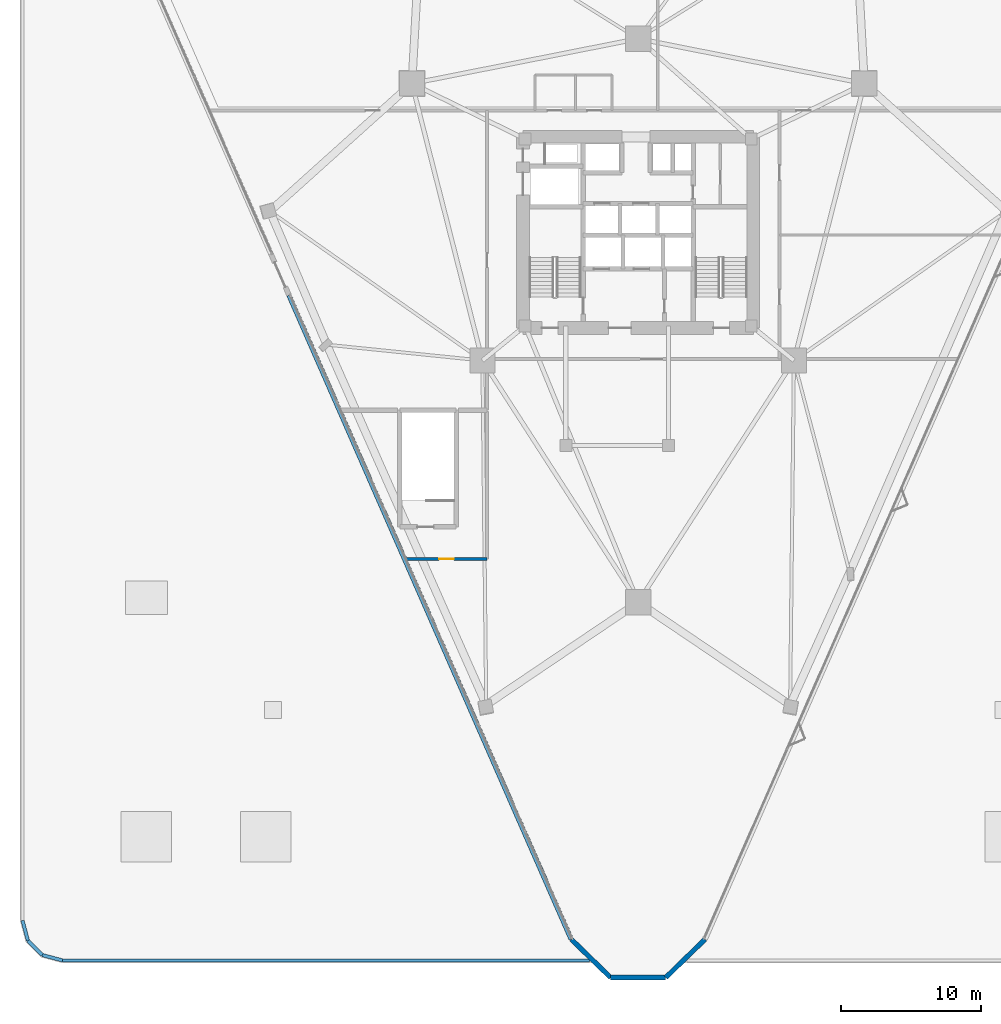
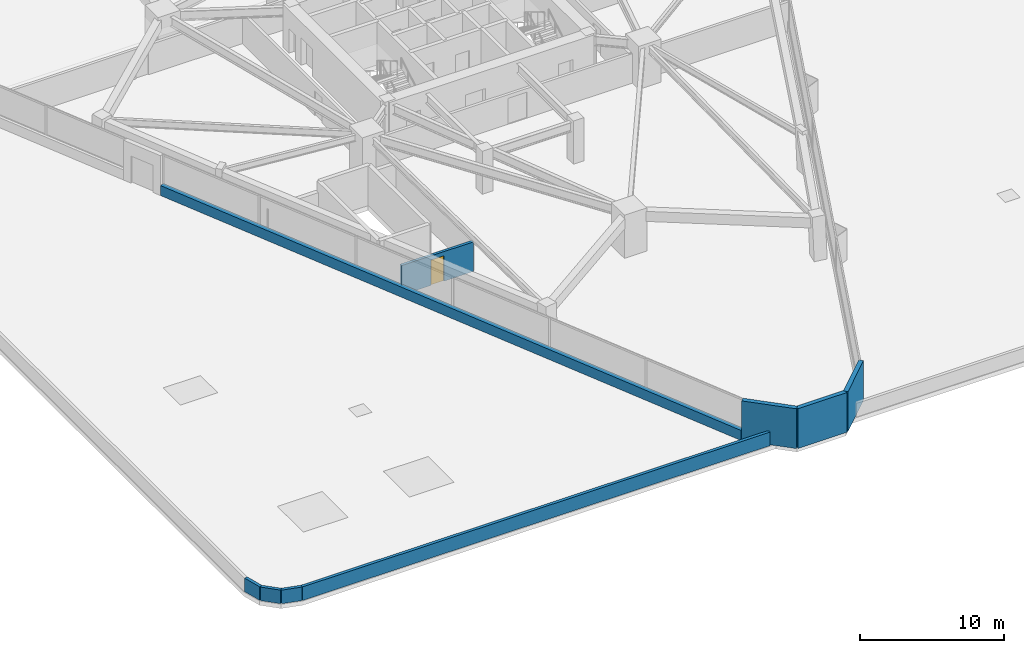
# One storey, part 15 of 21: 9 walls, 1 door, 1 opening.
"""IFC4 building model written with IfcOpenShell, lengths in metres."""

from ifc_helpers import new_model, si_unit, direction, frame, frame_2d, origin, place, context, subcontext, project, spatial, rectangle, extrude, material, layer, layer_set, type_object, element, fill, save


model = new_model("IFC4")

# Units and contexts
model_context = context("Model", 3, precision=1e-05, world=origin(), true_north=direction((0.0, 1.0)))
body_context = subcontext(model_context, "Body", "Model", "MODEL_VIEW")
ifc_project = project(units=[si_unit("LENGTHUNIT", "METRE"), si_unit("AREAUNIT", "SQUARE_METRE"), si_unit("VOLUMEUNIT", "CUBIC_METRE"), si_unit("PLANEANGLEUNIT", "RADIAN"), si_unit("MASSUNIT", "GRAM", prefix="KILO")], contexts=[model_context])

# Site, building, storey
site_placement = place(None, origin())
site = spatial("IfcSite", under=ifc_project, at=site_placement, CompositionType="ELEMENT")
building_placement = place(site_placement, origin())
building = spatial("IfcBuilding", under=site, at=building_placement, Name="Talyreon Biosciences Tower", CompositionType="ELEMENT")
storey_placement = place(building_placement, frame((0.0, 0.0, 22.800048828125)))
storey = spatial("IfcBuildingStorey", under=building, at=storey_placement, Name="L05", CompositionType="ELEMENT", Elevation=22.800048828125)

# Wall, opening, door
ifc_material_1 = material(Name="Gypsum fireboard acoustic stud", Category="gypsum")
ifc_layer_1 = layer(ifc_material_1, 0.219970703125)
ifc_layer_set_1 = layer_set([ifc_layer_1], Name="Gypsum fireboard acoustic stud")
wall_type_1 = type_object("IfcWallType", Name="CorridorRatedPartition_220", PredefinedType="PARTITIONING", material=ifc_layer_set_1)
wall_1_placement = place(storey_placement, frame((49.472412109375, 44.75, 0.0), z_axis=(0.0, 0.0, 1.0), x_axis=(1.0, 0.0, 0.0)))
wall_1 = element("IfcWall", 1, at=wall_1_placement, inside=storey, type_object=wall_type_1, Name="L05 Interior Wall IW-L05-ST3-S", PredefinedType="PARTITIONING", context=body_context, shape_type="SweptSolid", body=[
    extrude(rectangle(XDim=5.757568359375, YDim=0.219970703125, at=frame_2d((2.87890625, 0.0))), origin(), (0.0, 0.0, 1.0), 2.5048828125),
])
opening_placement = place(wall_1_placement, frame((2.35400390625, 0.0, 0.0)))
opening = element("IfcOpeningElement", 2, at=opening_placement, cuts=wall_1, Name="Opening DR-L05-S2A", PredefinedType="OPENING", context=body_context, shape_type="SweptSolid", body=[
    extrude(rectangle(XDim=1.050048828125, YDim=2.14990234375, at=frame_2d((0.52490234375, 1.074951171875))), frame((0.0, 0.119873046875, 0.0), z_axis=(0.0, -1.0, 0.0), x_axis=(1.0, 0.0, 0.0)), (0.0, 0.0, 1.0), 0.239990234375),
])
ifc_material_2 = material(Name="Acoustic timber-core laboratory door", Category="wood")
door_type = type_object("IfcDoorType", Name="DryLabSingleDoor_1050x2150", OperationType="NOTDEFINED", PredefinedType="DOOR", material=ifc_material_2)
door_placement = place(opening_placement, origin())
door = element("IfcDoor", 3, at=door_placement, inside=storey, type_object=door_type, Name="L05 Interior Door DR-L05-S2A", OperationType="SINGLE_SWING_LEFT", OverallHeight=2.14990234375, OverallWidth=1.050048828125, PredefinedType="DOOR", context=body_context, shape_type="SweptSolid", body=[
    extrude(rectangle(XDim=1.050048828125, YDim=2.14990234375, at=frame_2d((0.52490234375, 1.074951171875))), frame((0.0, 0.02490234375, 0.0), z_axis=(0.0, -1.0, 0.0), x_axis=(1.0, 0.0, 0.0)), (0.0, 0.0, 1.0), 0.050048828125),
])
fill(opening, door)

# Walls
ifc_material_3 = material(Name="Precast concrete C45/55", Category="concrete")
ifc_layer_2 = layer(ifc_material_3, 0.239990234375)
ifc_layer_set_2 = layer_set([ifc_layer_2], Name="Precast concrete C45/55")
wall_type_2 = type_object("IfcWallType", Name="CrownParapet_240", PredefinedType="PARAPET", material=ifc_layer_set_2)
wall_2_placement = place(storey_placement, frame((62.52978515625, 16.179931640625, 0.0), z_axis=(0.0, 0.0, 1.0), x_axis=(-1.0, 0.0, 0.0)))
element("IfcWall", 4, at=wall_2_placement, inside=storey, type_object=wall_type_2, Name="L05 Podium Skylight Roof Parapet 01", PredefinedType="PARAPET", context=body_context, shape_type="SweptSolid", body=[
    extrude(rectangle(XDim=37.506103515625, YDim=0.239990234375, at=frame_2d((18.7529296875, 0.0))), origin(), (0.0, 0.0, 1.0), 1.14990234375),
])
wall_3_placement = place(storey_placement, frame((25.023681640625, 16.179931640625, 0.0), z_axis=(0.0, 0.0, 1.0), x_axis=(-0.965922294807, 0.258832224415, 0.0)))
element("IfcWall", 5, at=wall_3_placement, inside=storey, type_object=wall_type_2, Name="L05 Podium Skylight Roof Parapet 02", PredefinedType="PARAPET", context=body_context, shape_type="SweptSolid", body=[
    extrude(rectangle(XDim=1.48095703125, YDim=0.239990234375, at=frame_2d((0.740478515625, 0.0))), origin(), (0.0, 0.0, 1.0), 1.14990234375),
])
wall_4_placement = place(storey_placement, frame((23.59326171875, 16.563232421875, 0.0), z_axis=(0.0, 0.0, 1.0), x_axis=(-0.707106781187, 0.707106781187, 0.0)))
element("IfcWall", 6, at=wall_4_placement, inside=storey, type_object=wall_type_2, Name="L05 Podium Skylight Roof Parapet 03", PredefinedType="PARAPET", context=body_context, shape_type="SweptSolid", body=[
    extrude(rectangle(XDim=1.456787109375, YDim=0.239990234375, at=frame_2d((0.728515625, 0.0))), origin(), (0.0, 0.0, 1.0), 1.14990234375),
])
wall_5_placement = place(storey_placement, frame((22.563232421875, 17.59326171875, 0.0), z_axis=(0.0, 0.0, 1.0), x_axis=(-0.258832224415, 0.965922294807, 0.0)))
element("IfcWall", 7, at=wall_5_placement, inside=storey, type_object=wall_type_2, Name="L05 Podium Skylight Roof Parapet 04", PredefinedType="PARAPET", context=body_context, shape_type="SweptSolid", body=[
    extrude(rectangle(XDim=1.48095703125, YDim=0.239990234375, at=frame_2d((0.740478515625, 0.0))), origin(), (0.0, 0.0, 1.0), 1.14990234375),
])
ifc_layer_3 = layer(ifc_material_3, 0.340087890625)
ifc_layer_set_3 = layer_set([ifc_layer_3], Name="Precast concrete C45/55")
wall_type_3 = type_object("IfcWallType", Name="PrecastConcreteSpandrelWall_340", PredefinedType="STANDARD", material=ifc_layer_set_3)
wall_6_placement = place(storey_placement, frame((61.2373046875, 17.689453125, 0.0), z_axis=(0.0, 0.0, 1.0), x_axis=(-0.401346447851, 0.9159263228, 0.0)))
element("IfcWall", 8, at=wall_6_placement, inside=storey, type_object=wall_type_3, Name="L05 Concrete Sill Spandrel 00A", PredefinedType="STANDARD", context=body_context, shape_type="SweptSolid", body=[
    extrude(rectangle(XDim=50.046875, YDim=0.340087890625, at=frame_2d((25.0234375, 0.0))), origin(), (0.0, 0.0, 1.0), 0.849853515625),
])
wall_7_placement = place(storey_placement, frame((70.7626953125, 17.689453125, 0.0), z_axis=(0.0, 0.0, 1.0), x_axis=(-0.716584381789, -0.697500411308, 0.0)))
element("IfcWall", 9, at=wall_7_placement, inside=storey, type_object=wall_type_3, Name="L05 Rounded-Corner Concrete Pier 09", PredefinedType="STANDARD", context=body_context, shape_type="SweptSolid", body=[
    extrude(rectangle(XDim=3.91455078125, YDim=0.340087890625, at=frame_2d((1.957275390625, 0.0))), origin(), (0.0, 0.0, 1.0), 3.375),
])
wall_8_placement = place(storey_placement, frame((67.95751953125, 14.958984375, 0.0), z_axis=(0.0, 0.0, 1.0), x_axis=(-1.0, 0.0, 0.0)))
element("IfcWall", 10, at=wall_8_placement, inside=storey, type_object=wall_type_3, Name="L05 Rounded-Corner Concrete Pier 10", PredefinedType="STANDARD", context=body_context, shape_type="SweptSolid", body=[
    extrude(rectangle(XDim=3.9150390625, YDim=0.340087890625, at=frame_2d((1.95751953125, 0.0))), origin(), (0.0, 0.0, 1.0), 3.375),
])
wall_9_placement = place(storey_placement, frame((64.04248046875, 14.958984375, 0.0), z_axis=(0.0, 0.0, 1.0), x_axis=(-0.716584381789, 0.697500411308, 0.0)))
element("IfcWall", 11, at=wall_9_placement, inside=storey, type_object=wall_type_3, Name="L05 Rounded-Corner Concrete Pier 11", PredefinedType="STANDARD", context=body_context, shape_type="SweptSolid", body=[
    extrude(rectangle(XDim=3.91455078125, YDim=0.340087890625, at=frame_2d((1.957275390625, 0.0))), origin(), (0.0, 0.0, 1.0), 3.375),
])

save(model, "model.ifc")
